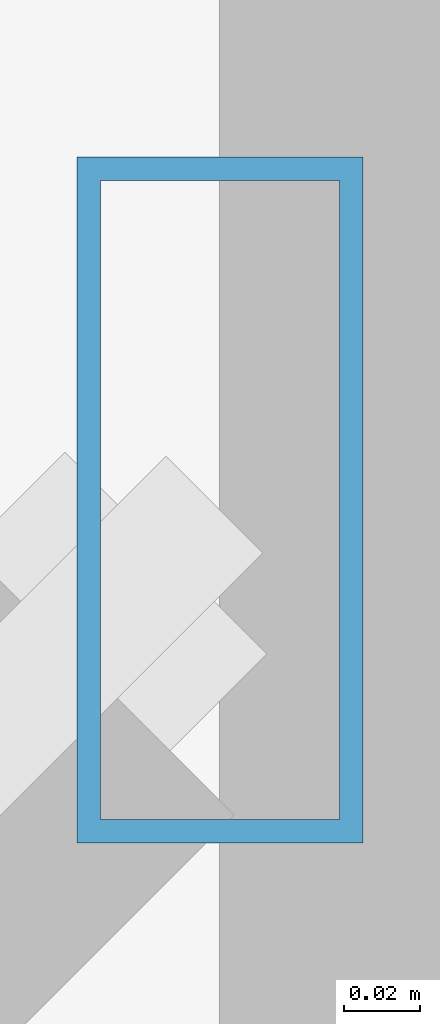
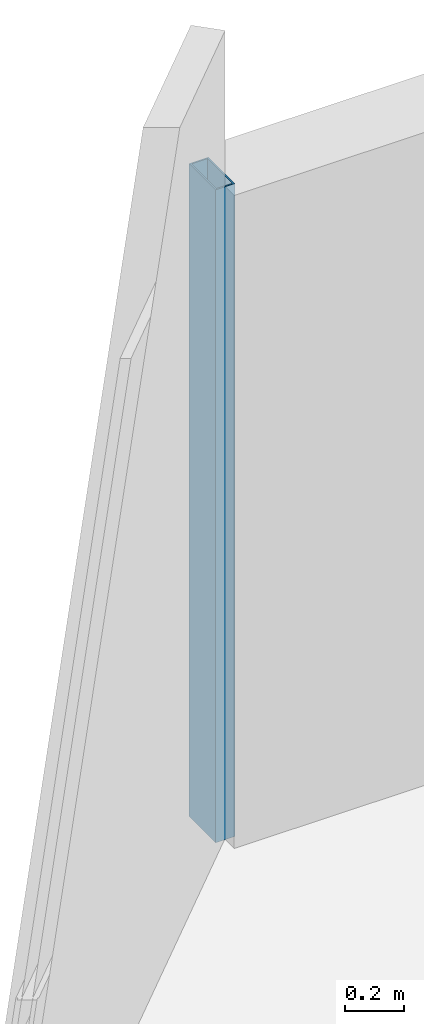
# One storey, part 9 of 33: 1 member, 1 element without a shape of its own.
"""IFC4 building model written with IfcOpenShell, lengths in metres."""

from ifc_helpers import new_model, si_unit, direction, frame, origin, origin_2d, place, context, subcontext, project, spatial, hollow_rectangle, extrude, material, material_profile, profile_set, type_object, element, aggregate, save


model = new_model("IFC4")

# Units and contexts
model_context = context("Model", 3, precision=1e-05, world=origin(), true_north=direction((0.0, 1.0)))
body_context = subcontext(model_context, "Body", "Model", "MODEL_VIEW")
ifc_project = project(units=[si_unit("LENGTHUNIT", "METRE"), si_unit("AREAUNIT", "SQUARE_METRE"), si_unit("VOLUMEUNIT", "CUBIC_METRE"), si_unit("PLANEANGLEUNIT", "RADIAN"), si_unit("MASSUNIT", "GRAM", prefix="KILO")], contexts=[model_context])

# Site, building, storey
site_placement = place(None, origin())
site = spatial("IfcSite", under=ifc_project, at=site_placement, CompositionType="ELEMENT")
building_placement = place(site_placement, origin())
building = spatial("IfcBuilding", under=site, at=building_placement, Name="Thornwick Lancets Civic Towers", CompositionType="ELEMENT")
storey_placement = place(building_placement, frame((0.0, 0.0, 203.699951171875)))
storey = spatial("IfcBuildingStorey", under=building, at=storey_placement, Name="L54", CompositionType="ELEMENT", Elevation=203.699951171875)

# Curtain wall, member
ifc_material_1 = material(Name="High-zone chamfered-corner unitised glass curtain wall", Category="glass")
curtain_wall_type = type_object("IfcCurtainWallType", Name="CW_SYS_05", PredefinedType="NOTDEFINED", material=ifc_material_1)
curtain_wall_placement = place(storey_placement, origin())
curtain_wall = element("IfcCurtainWall", 1, at=curtain_wall_placement, inside=storey, type_object=curtain_wall_type, Name="L54 Curtain Wall CW-L54-A-E5", PredefinedType="NOTDEFINED")
ifc_material_2 = material(Name="Thermally broken bronze aluminium S355", Category="steel")
ifc_material_profile = material_profile(ifc_material_2, hollow_rectangle(XDim=0.074951171875, YDim=0.179931640625, WallThickness=0.006103515625, at=origin_2d()), Name="RHS 180x75x6")
ifc_profile_set = profile_set([ifc_material_profile], Name="Thermally broken bronze aluminium S355")
member_type = type_object("IfcMemberType", Name="CW_MUL_180", PredefinedType="MULLION", material=ifc_profile_set)
member_placement = place(storey_placement, frame((5.6982421875, 50.760009765625, 0.0), z_axis=(0.0, 0.0, 1.0), x_axis=(1.0, 0.0, 0.0)))
member = element("IfcMember", 2, at=member_placement, type_object=member_type, Name="CW-L54-A-E5 Mullion 0", PredefinedType="MULLION", context=body_context, shape_type="SweptSolid", body=[
    extrude(hollow_rectangle(XDim=0.074951171875, YDim=0.179931640625, WallThickness=0.006103515625, at=origin_2d()), origin(), (0.0, 0.0, 1.0), 2.699951171875),
])
aggregate(curtain_wall, [member])

save(model, "model.ifc")
